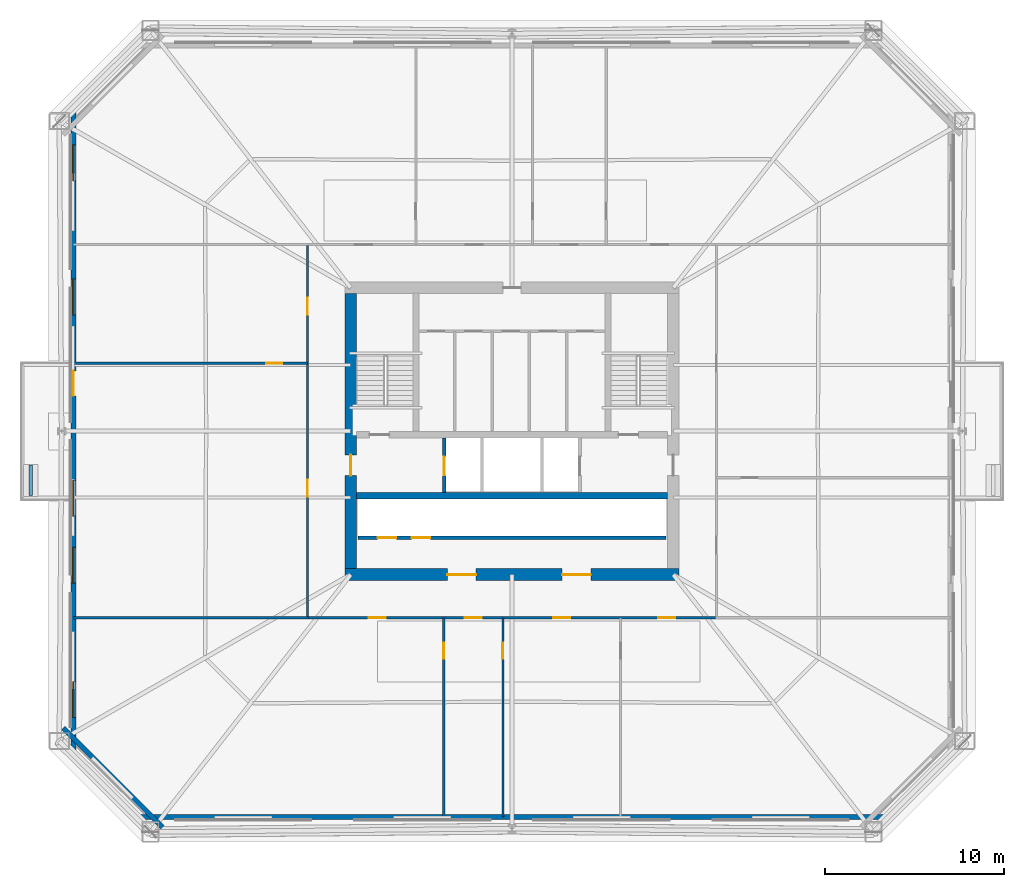
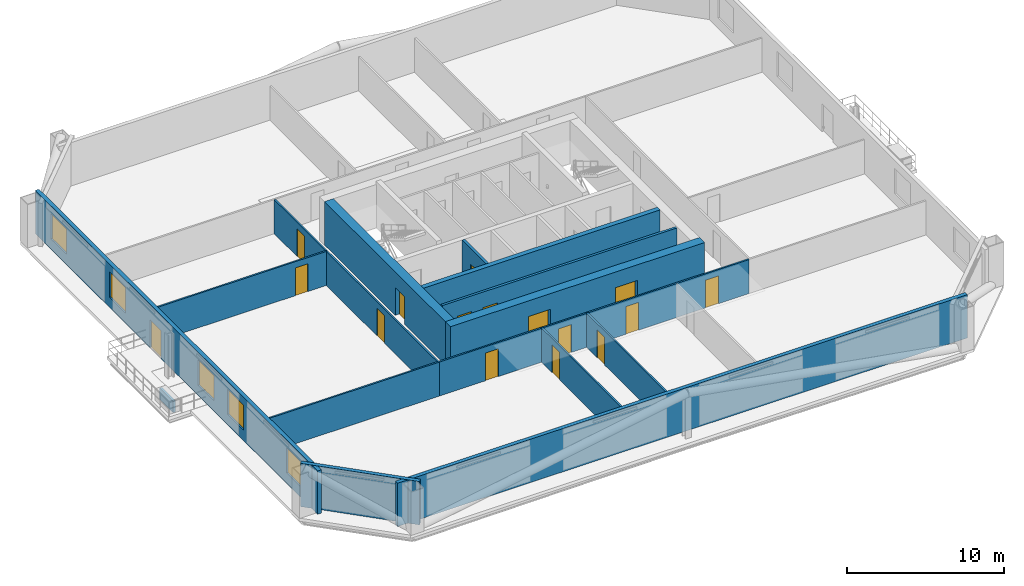
# One storey, part 5 of 10: 16 doors, 15 walls, 5 windows, 21 openings.
"""IFC4 building model written with IfcOpenShell, lengths in metres."""

import ifcopenshell
import ifcopenshell.guid

model = None  # the IFC model being written
_history = None  # IfcOwnerHistory: only IFC2X3 demands one
_inside = {}  # id of a spatial element -> (the spatial element, [elements in it])
_under = {}  # id of a project, library or spatial element -> (it, [spatial elements below it])
_declared = {}  # id of a project -> (the project, [libraries it declares])
_typed = {}  # id of a type object -> (the type object, [elements of that type])
_made_of = {}  # id of a material, layer set ... -> (it, [elements and type objects made of it])


def new_model(schema):
    """Start an empty IFC model of exactly this schema.

    Asked for "IFC4X3", IfcOpenShell would pick the latest addendum, in which some entities
    have other attributes; the version numbers below select the first issue.
    IFC2X3 requires an IfcOwnerHistory on every rooted entity: one is made here for all.
    """
    global model, _history
    if schema == "IFC4X3":
        model = ifcopenshell.file(schema_version=(4, 3, 0, 0))
    else:
        model = ifcopenshell.file(schema=schema)
    _inside.clear()
    _under.clear()
    _declared.clear()
    _typed.clear()
    _made_of.clear()
    _history = None
    if model.schema == "IFC2X3":
        org = make("IfcOrganization", Name="unknown")
        user = make(
            "IfcPersonAndOrganization",
            ThePerson=make("IfcPerson", FamilyName="unknown"),
            TheOrganization=org,
        )
        app = make(
            "IfcApplication",
            ApplicationDeveloper=org,
            Version="unknown",
            ApplicationFullName="unknown",
            ApplicationIdentifier="unknown",
        )
        _history = make(
            "IfcOwnerHistory",
            OwningUser=user,
            OwningApplication=app,
            ChangeAction="ADDED",
            CreationDate=0,
        )
    return model


def make(cls, **values):
    """One entity of the class cls with the attributes given. An attribute that is None is left unset."""
    return model.create_entity(
        cls, **{name: value for name, value in values.items() if value is not None}
    )


def rooted(cls, **values):
    """An entity with a GlobalId (a new one), such as an element, a storey or a relation."""
    return make(cls, GlobalId=ifcopenshell.guid.new(), OwnerHistory=_history, **values)


def si_unit(unit_type, name, prefix=None):
    """IfcSIUnit, for example si_unit("LENGTHUNIT", "METRE", prefix="MILLI")."""
    return make("IfcSIUnit", UnitType=unit_type, Prefix=prefix, Name=name)


def assignment(units):
    """IfcUnitAssignment: the units of a project."""
    return None if units is None else make("IfcUnitAssignment", Units=units)


def point(xyz):
    """IfcCartesianPoint."""
    return None if xyz is None else make("IfcCartesianPoint", Coordinates=xyz)


def direction(xyz):
    """IfcDirection."""
    return None if xyz is None else make("IfcDirection", DirectionRatios=xyz)


def frame(location, z_axis=None, x_axis=None):
    """IfcAxis2Placement3D, a coordinate frame: its origin and axes. An axis left out is left unset."""
    return make(
        "IfcAxis2Placement3D",
        Location=point(location),
        Axis=direction(z_axis),
        RefDirection=direction(x_axis),
    )


def frame_2d(location, x_axis=None):
    """IfcAxis2Placement2D, a coordinate frame in the plane: its origin and x axis."""
    return make(
        "IfcAxis2Placement2D", Location=point(location), RefDirection=direction(x_axis)
    )


def origin():
    """The frame at (0, 0, 0) with its axes left unset."""
    return frame((0.0, 0.0, 0.0))


def place(relative_to, where):
    """IfcLocalPlacement: puts the frame where relative to a parent placement (None: the world)."""
    return make(
        "IfcLocalPlacement", PlacementRelTo=relative_to, RelativePlacement=where
    )


def context(
    kind, dimensions, precision=None, world=None, true_north=None, identifier=None
):
    """IfcGeometricRepresentationContext, for example the 3D "Model" context."""
    return make(
        "IfcGeometricRepresentationContext",
        ContextIdentifier=identifier,
        ContextType=kind,
        CoordinateSpaceDimension=dimensions,
        Precision=precision,
        WorldCoordinateSystem=world,
        TrueNorth=true_north,
    )


def subcontext(parent, identifier, kind, view, scale=None):
    """IfcGeometricRepresentationSubContext, for example "Body" below "Model"."""
    return make(
        "IfcGeometricRepresentationSubContext",
        ContextIdentifier=identifier,
        ContextType=kind,
        ParentContext=parent,
        TargetScale=scale,
        TargetView=view,
    )


def project(units=None, contexts=None):
    """IfcProject with its units and contexts."""
    return rooted(
        "IfcProject",
        Name="project",
        RepresentationContexts=contexts,
        UnitsInContext=assignment(units),
    )


def spatial(cls, under=None, at=None, **own):
    """A site, building, storey or space (cls), placed at a placement, below another one or the project."""
    s = rooted(cls, ObjectPlacement=at, **own)
    if under is not None:
        _under.setdefault(under.id(), (under, []))[1].append(s)
    return s


def profile(cls, at=None, kind="AREA", **sizes):
    """A parametric profile (cls). Its sizes go by their IFC names, for example OverallWidth=200.0."""
    return make(cls, ProfileType=kind, Position=at, **sizes)


def rectangle(**sizes):
    """IfcRectangleProfileDef."""
    return profile("IfcRectangleProfileDef", **sizes)


def extrude(swept, where, along, depth):
    """IfcExtrudedAreaSolid: the profile swept, set in the frame where, extruded along a direction by depth."""
    return make(
        "IfcExtrudedAreaSolid",
        SweptArea=swept,
        Position=where,
        ExtrudedDirection=direction(along),
        Depth=depth,
    )


def shape(context_of_items, identifier, shape_type, items):
    """IfcShapeRepresentation: the items that make up one representation, for example the "Body"."""
    return make(
        "IfcShapeRepresentation",
        ContextOfItems=context_of_items,
        RepresentationIdentifier=identifier,
        RepresentationType=shape_type,
        Items=items,
    )


def material(Name=None, Category=None):
    """IfcMaterial."""
    return make("IfcMaterial", Name=Name, Category=Category)


def layer(
    of_material, thickness, ventilated=None, Name=None, Category=None, Priority=None
):
    """IfcMaterialLayer: one layer of a wall or slab, of a material (None: an air gap)."""
    return make(
        "IfcMaterialLayer",
        Material=of_material,
        LayerThickness=thickness,
        IsVentilated=ventilated,
        Name=Name,
        Category=Category,
        Priority=Priority,
    )


def layer_set(layers, Name=None):
    """IfcMaterialLayerSet."""
    return make("IfcMaterialLayerSet", MaterialLayers=layers, LayerSetName=Name)


def made_of(thing, what):
    """Note that an element or type object is made of a material, layer set ...; save() writes the relation."""
    if what is not None:
        _made_of.setdefault(what.id(), (what, []))[1].append(thing)
    return thing


def type_object(cls, material=None, **own):
    """A type object (cls), such as IfcWallType, which elements share."""
    return made_of(rooted(cls, **own), material)


def element(
    cls,
    number,
    at=None,
    inside=None,
    cuts=None,
    type_object=None,
    material=None,
    context=None,
    identifier="Body",
    shape_type=None,
    held_by="IfcProductDefinitionShape",
    body=None,
    shapes=None,
    **own,
):
    """One element of the class cls, such as IfcWall. Its Tag is "e" and its number.

    at: its placement. inside: the storey or other place that contains it. cuts: it is an
    opening in that element (IfcRelVoidsElement). A single representation is given by context,
    identifier, shape_type and body (its items); several are given by shapes. held_by: the class
    of the entity that holds the representations. save() writes the other relations.
    """
    e = rooted(cls, Tag="e%d" % number, ObjectPlacement=at, **own)
    if body is not None:
        shapes = [shape(context, identifier, shape_type, body)]
    if shapes is not None:
        e.Representation = make(held_by, Representations=shapes)
    if inside is not None:
        _inside.setdefault(inside.id(), (inside, []))[1].append(e)
    if cuts is not None:
        rooted(
            "IfcRelVoidsElement", RelatingBuildingElement=cuts, RelatedOpeningElement=e
        )
    if type_object is not None:
        _typed.setdefault(type_object.id(), (type_object, []))[1].append(e)
    return made_of(e, material)


def fill(opening, filler):
    """IfcRelFillsElement: the door or window that sits in an opening."""
    return rooted(
        "IfcRelFillsElement",
        RelatingOpeningElement=opening,
        RelatedBuildingElement=filler,
    )


def aggregate(whole, parts):
    """IfcRelAggregates: a whole, such as a stair, and the parts it consists of."""
    return rooted("IfcRelAggregates", RelatingObject=whole, RelatedObjects=parts)


def save(model, path):
    """Write the relations noted so far, then the file.

    IfcRelAggregates (storeys below a building ...), IfcRelContainedInSpatialStructure (elements
    in a storey), IfcRelDefinesByType, IfcRelAssociatesMaterial and IfcRelDeclares: one each for
    every whole, place, type object, material and project.
    """
    for whole, parts in _under.values():
        aggregate(whole, parts)
    for where, things in _inside.values():
        rooted(
            "IfcRelContainedInSpatialStructure",
            RelatedElements=things,
            RelatingStructure=where,
        )
    for kind, things in _typed.values():
        rooted("IfcRelDefinesByType", RelatedObjects=things, RelatingType=kind)
    for what, things in _made_of.values():
        rooted("IfcRelAssociatesMaterial", RelatedObjects=things, RelatingMaterial=what)
    for by, libraries in _declared.values():
        rooted("IfcRelDeclares", RelatingContext=by, RelatedDefinitions=libraries)
    model.write(path)


model = new_model("IFC4")

# Units and contexts
model_context = context("Model", 3, precision=1e-05, world=origin(), true_north=direction((0.0, 1.0)))
body_context = subcontext(model_context, "Body", "Model", "MODEL_VIEW")
ifc_project = project(units=[si_unit("LENGTHUNIT", "METRE"), si_unit("AREAUNIT", "SQUARE_METRE"), si_unit("VOLUMEUNIT", "CUBIC_METRE"), si_unit("PLANEANGLEUNIT", "RADIAN"), si_unit("MASSUNIT", "GRAM", prefix="KILO")], contexts=[model_context])

# Site, building, storey
site_placement = place(None, origin())
site = spatial("IfcSite", under=ifc_project, at=site_placement, CompositionType="ELEMENT")
building_placement = place(site_placement, origin())
building = spatial("IfcBuilding", under=site, at=building_placement, Name="Caelvoria Tower", CompositionType="ELEMENT")
storey_placement = place(building_placement, frame((0.0, 0.0, 60.39990234375)))
storey = spatial("IfcBuildingStorey", under=building, at=storey_placement, Name="L15", CompositionType="ELEMENT", Elevation=60.39990234375)

# Walls
ifc_material_1 = material(Name="Bronze-Clad Concrete C40/50", Category="concrete")
ifc_layer_1 = layer(ifc_material_1, 0.179931640625, Name="Bronze-Clad Concrete C40/50")
ifc_layer_set_1 = layer_set([ifc_layer_1], Name="Architectural Planter Kerb Wall 180 - Bronze-Clad Concrete C40/50")
wall_type_1 = type_object("IfcWallType", Name="Architectural Planter Kerb Wall 180", PredefinedType="PARAPET", material=ifc_layer_set_1)
wall_1_placement = place(storey_placement, frame((19.14990234375, 28.39990234375, 0.0), z_axis=(0.0, 0.0, 1.0), x_axis=(0.0, 1.0, 0.0)))
element("IfcWall", 1, at=wall_1_placement, inside=storey, type_object=wall_type_1, Name="Tree Balcony Planter Kerb PLANTER TB-L15-W", PredefinedType="PARAPET", context=body_context, shape_type="SweptSolid", body=[
    extrude(rectangle(XDim=1.7001953125, YDim=0.179931640625, at=frame_2d((0.85009765625, 0.0))), origin(), (0.0, 0.0, 1.0), 0.880126953125),
])
ifc_material_2 = material(Name="Concrete C50/60", Category="concrete")
ifc_layer_2 = layer(ifc_material_2, 0.35009765625, Name="Concrete C50/60")
ifc_layer_set_2 = layer_set([ifc_layer_2], Name="Core Internal Shear Wall 350 - Concrete C50/60")
wall_type_2 = type_object("IfcWallType", Name="Core Internal Shear Wall 350", PredefinedType="SHEAR", material=ifc_layer_set_2)
wall_2_placement = place(storey_placement, frame((37.324951171875, 28.39990234375, 0.0), z_axis=(0.0, 0.0, 1.0), x_axis=(1.0, 0.0, 0.0)))
element("IfcWall", 2, at=wall_2_placement, inside=storey, type_object=wall_type_2, Name="Core Shear Wall L15 M2", PredefinedType="SHEAR", context=body_context, shape_type="SweptSolid", body=[
    extrude(rectangle(XDim=17.35009765625, YDim=0.35009765625, at=frame_2d((8.675048828125, 0.0))), origin(), (0.0, 0.0, 1.0), 3.360107421875),
])
ifc_material_3 = material(Name="Precast Concrete C40/50 with Bronze Cladding", Category="concrete")
ifc_layer_3 = layer(ifc_material_3, 0.280029296875, Name="Precast Concrete C40/50 with Bronze Cladding")
ifc_layer_set_3 = layer_set([ifc_layer_3], Name="Exterior Precast Concrete C40/50 Bronze-Clad Facade Wall 280 - Precast Concrete C40/50 with Bronze Cladding")
wall_type_3 = type_object("IfcWallType", Name="Exterior Precast Concrete C40/50 Bronze-Clad Facade Wall 280", PredefinedType="STANDARD", material=ifc_layer_set_3)
wall_3_placement = place(storey_placement, frame((25.110107421875, 10.47998046875, 0.0), z_axis=(0.0, 0.0, 1.0), x_axis=(1.0, 0.0, 0.0)))
element("IfcWall", 3, at=wall_3_placement, inside=storey, type_object=wall_type_3, Name="Exterior Facade Wall L15-E0", PredefinedType="STANDARD", context=body_context, shape_type="SweptSolid", body=[
    extrude(rectangle(XDim=41.77978515625, YDim=0.280029296875, at=frame_2d((20.889892578125, 0.0))), origin(), (0.0, 0.0, 1.0), 3.360107421875),
])

# Wall, openings, windows, door
wall_4_placement = place(storey_placement, frame((21.530029296875, 49.93994140625, 0.0), z_axis=(0.0, 0.0, 1.0), x_axis=(0.0, -1.0, 0.0)))
wall_4 = element("IfcWall", 4, at=wall_4_placement, inside=storey, type_object=wall_type_3, Name="Exterior Facade Wall L15-E6", PredefinedType="STANDARD", context=body_context, shape_type="SweptSolid", body=[
    extrude(rectangle(XDim=35.8798828125, YDim=0.280029296875, at=frame_2d((17.93994140625, 0.0))), origin(), (0.0, 0.0, 1.0), 3.360107421875),
])
opening_1_placement = place(wall_4_placement, frame((14.570068359375, 0.0, 0.0)))
opening_1 = element("IfcOpeningElement", 5, at=opening_1_placement, cuts=wall_4, Name="Opening ED-04", PredefinedType="OPENING", context=body_context, shape_type="SweptSolid", body=[
    extrude(rectangle(XDim=1.39990234375, YDim=2.14990234375, at=frame_2d((0.699951171875, 1.074951171875))), frame((0.0, 0.14990234375, 0.0), z_axis=(0.0, -1.0, 0.0), x_axis=(1.0, 0.0, 0.0)), (0.0, 0.0, 1.0), 0.300048828125),
])
opening_2_placement = place(wall_4_placement, frame((1.97119140625, 0.0, 0.800048828125)))
opening_2 = element("IfcOpeningElement", 6, at=opening_2_placement, cuts=wall_4, Name="Opening WN-01", PredefinedType="OPENING", context=body_context, shape_type="SweptSolid", body=[
    extrude(rectangle(XDim=2.0, YDim=1.949951171875, at=frame_2d((1.0, 0.97509765625))), frame((0.0, 0.14990234375, 0.0), z_axis=(0.0, -1.0, 0.0), x_axis=(1.0, 0.0, 0.0)), (0.0, 0.0, 1.0), 0.300048828125),
])
opening_3_placement = place(wall_4_placement, frame((9.45556640625, 0.0, 0.800048828125)))
opening_3 = element("IfcOpeningElement", 7, at=opening_3_placement, cuts=wall_4, Name="Opening WN-01", PredefinedType="OPENING", context=body_context, shape_type="SweptSolid", body=[
    extrude(rectangle(XDim=2.0, YDim=1.949951171875, at=frame_2d((1.0, 0.97509765625))), frame((0.0, 0.14990234375, 0.0), z_axis=(0.0, -1.0, 0.0), x_axis=(1.0, 0.0, 0.0)), (0.0, 0.0, 1.0), 0.300048828125),
])
opening_4_placement = place(wall_4_placement, frame((20.68212890625, 0.0, 0.800048828125)))
opening_4 = element("IfcOpeningElement", 8, at=opening_4_placement, cuts=wall_4, Name="Opening WN-01", PredefinedType="OPENING", context=body_context, shape_type="SweptSolid", body=[
    extrude(rectangle(XDim=2.0, YDim=1.949951171875, at=frame_2d((1.0, 0.97509765625))), frame((0.0, 0.14990234375, 0.0), z_axis=(0.0, -1.0, 0.0), x_axis=(1.0, 0.0, 0.0)), (0.0, 0.0, 1.0), 0.300048828125),
])
opening_5_placement = place(wall_4_placement, frame((24.42431640625, 0.0, 0.800048828125)))
opening_5 = element("IfcOpeningElement", 9, at=opening_5_placement, cuts=wall_4, Name="Opening WN-01", PredefinedType="OPENING", context=body_context, shape_type="SweptSolid", body=[
    extrude(rectangle(XDim=2.0, YDim=1.949951171875, at=frame_2d((1.0, 0.97509765625))), frame((0.0, 0.14990234375, 0.0), z_axis=(0.0, -1.0, 0.0), x_axis=(1.0, 0.0, 0.0)), (0.0, 0.0, 1.0), 0.300048828125),
])
opening_6_placement = place(wall_4_placement, frame((31.908935546875, 0.0, 0.800048828125)))
opening_6 = element("IfcOpeningElement", 10, at=opening_6_placement, cuts=wall_4, Name="Opening WN-01", PredefinedType="OPENING", context=body_context, shape_type="SweptSolid", body=[
    extrude(rectangle(XDim=2.0, YDim=1.949951171875, at=frame_2d((1.0, 0.97509765625))), frame((0.0, 0.14990234375, 0.0), z_axis=(0.0, -1.0, 0.0), x_axis=(1.0, 0.0, 0.0)), (0.0, 0.0, 1.0), 0.300048828125),
])
ifc_material_4 = material(Name="Low-E Tinted Glass in Bronze Aluminium Frame", Category="aluminium")
window_type = type_object("IfcWindowType", Name="Tower Office Vision Window 2000x1950", PartitioningType="SINGLE_PANEL", PredefinedType="WINDOW", material=ifc_material_4)
window_1_placement = place(opening_2_placement, origin())
window_1 = element("IfcWindow", 11, at=window_1_placement, inside=storey, type_object=window_type, Name="Facade Window L15-E6-00", OverallHeight=1.949951171875, OverallWidth=2.0, PartitioningType="SINGLE_PANEL", PredefinedType="WINDOW", context=body_context, shape_type="SweptSolid", body=[
    extrude(rectangle(XDim=2.0, YDim=1.949951171875, at=frame_2d((1.0, 0.97509765625))), frame((0.0, 0.030029296875, 0.0), z_axis=(0.0, -1.0, 0.0), x_axis=(1.0, 0.0, 0.0)), (0.0, 0.0, 1.0), 0.06005859375),
])
fill(opening_2, window_1)
window_2_placement = place(opening_3_placement, origin())
window_2 = element("IfcWindow", 12, at=window_2_placement, inside=storey, type_object=window_type, Name="Facade Window L15-E6-02", OverallHeight=1.949951171875, OverallWidth=2.0, PartitioningType="SINGLE_PANEL", PredefinedType="WINDOW", context=body_context, shape_type="SweptSolid", body=[
    extrude(rectangle(XDim=2.0, YDim=1.949951171875, at=frame_2d((1.0, 0.97509765625))), frame((0.0, 0.030029296875, 0.0), z_axis=(0.0, -1.0, 0.0), x_axis=(1.0, 0.0, 0.0)), (0.0, 0.0, 1.0), 0.06005859375),
])
fill(opening_3, window_2)
window_3_placement = place(opening_4_placement, origin())
window_3 = element("IfcWindow", 13, at=window_3_placement, inside=storey, type_object=window_type, Name="Facade Window L15-E6-05", OverallHeight=1.949951171875, OverallWidth=2.0, PartitioningType="SINGLE_PANEL", PredefinedType="WINDOW", context=body_context, shape_type="SweptSolid", body=[
    extrude(rectangle(XDim=2.0, YDim=1.949951171875, at=frame_2d((1.0, 0.97509765625))), frame((0.0, 0.030029296875, 0.0), z_axis=(0.0, -1.0, 0.0), x_axis=(1.0, 0.0, 0.0)), (0.0, 0.0, 1.0), 0.06005859375),
])
fill(opening_4, window_3)
window_4_placement = place(opening_5_placement, origin())
window_4 = element("IfcWindow", 14, at=window_4_placement, inside=storey, type_object=window_type, Name="Facade Window L15-E6-06", OverallHeight=1.949951171875, OverallWidth=2.0, PartitioningType="SINGLE_PANEL", PredefinedType="WINDOW", context=body_context, shape_type="SweptSolid", body=[
    extrude(rectangle(XDim=2.0, YDim=1.949951171875, at=frame_2d((1.0, 0.97509765625))), frame((0.0, 0.030029296875, 0.0), z_axis=(0.0, -1.0, 0.0), x_axis=(1.0, 0.0, 0.0)), (0.0, 0.0, 1.0), 0.06005859375),
])
fill(opening_5, window_4)
window_5_placement = place(opening_6_placement, origin())
window_5 = element("IfcWindow", 15, at=window_5_placement, inside=storey, type_object=window_type, Name="Facade Window L15-E6-08", OverallHeight=1.949951171875, OverallWidth=2.0, PartitioningType="SINGLE_PANEL", PredefinedType="WINDOW", context=body_context, shape_type="SweptSolid", body=[
    extrude(rectangle(XDim=2.0, YDim=1.949951171875, at=frame_2d((1.0, 0.97509765625))), frame((0.0, 0.030029296875, 0.0), z_axis=(0.0, -1.0, 0.0), x_axis=(1.0, 0.0, 0.0)), (0.0, 0.0, 1.0), 0.06005859375),
])
fill(opening_6, window_5)
ifc_material_5 = material(Name="Anodised Bronze Aluminium and Laminated Glass", Category="aluminium")
door_type_1 = type_object("IfcDoorType", Name="Tree Balcony Glazed Door 1400x2150", OperationType="NOTDEFINED", PredefinedType="DOOR", material=ifc_material_5)
door_1_placement = place(opening_1_placement, origin())
door_1 = element("IfcDoor", 16, at=door_1_placement, inside=storey, type_object=door_type_1, Name="Tree Balcony Door L15-W", OperationType="SINGLE_SWING_LEFT", OverallHeight=2.14990234375, OverallWidth=1.39990234375, PredefinedType="DOOR", context=body_context, shape_type="SweptSolid", body=[
    extrude(rectangle(XDim=1.39990234375, YDim=2.14990234375, at=frame_2d((0.699951171875, 1.074951171875))), frame((0.0, 0.02490234375, 0.0), z_axis=(0.0, -1.0, 0.0), x_axis=(1.0, 0.0, 0.0)), (0.0, 0.0, 1.0), 0.050048828125),
])
fill(opening_1, door_1)

# Wall
wall_5_placement = place(storey_placement, frame((20.9560546875, 15.445556640625, 0.0), z_axis=(0.0, 0.0, 1.0), x_axis=(0.707106781187, -0.707106781187, 0.0)))
element("IfcWall", 17, at=wall_5_placement, inside=storey, type_object=wall_type_3, Name="Exterior Facade Wall L15-E7", PredefinedType="STANDARD", context=body_context, shape_type="SweptSolid", body=[
    extrude(rectangle(XDim=7.834228515625, YDim=0.280029296875, at=frame_2d((3.9169921875, 0.0))), origin(), (0.0, 0.0, 1.0), 3.360107421875),
])

# Wall, openings, doors
ifc_material_6 = material(Name="Concrete Block and Fireboard Assembly", Category="concrete")
ifc_layer_4 = layer(ifc_material_6, 0.179931640625, Name="Concrete Block and Fireboard Assembly")
ifc_layer_set_4 = layer_set([ifc_layer_4], Name="Fire-Rated Hoistway Partition Wall 180 - Concrete Block and Fireboard Assembly")
wall_type_4 = type_object("IfcWallType", Name="Fire-Rated Hoistway Partition Wall 180", PredefinedType="PARTITIONING", material=ifc_layer_set_4)
wall_6_placement = place(storey_placement, frame((37.39990234375, 26.050048828125, 0.0), z_axis=(0.0, 0.0, 1.0), x_axis=(1.0, 0.0, 0.0)))
wall_6 = element("IfcWall", 18, at=wall_6_placement, inside=storey, type_object=wall_type_4, Name="Interior Partition IW-L15-LFRONT", PredefinedType="PARTITIONING", context=body_context, shape_type="SweptSolid", body=[
    extrude(rectangle(XDim=17.2001953125, YDim=0.179931640625, at=frame_2d((8.60009765625, 0.0))), origin(), (0.0, 0.0, 1.0), 3.360107421875),
])
opening_7_placement = place(wall_6_placement, frame((1.10009765625, 0.0, 0.0)))
opening_7 = element("IfcOpeningElement", 19, at=opening_7_placement, cuts=wall_6, Name="Opening LD-01", PredefinedType="OPENING", context=body_context, shape_type="SweptSolid", body=[
    extrude(rectangle(XDim=1.050048828125, YDim=2.14990234375, at=frame_2d((0.52490234375, 1.074951171875))), frame((0.0, 0.099853515625, 0.0), z_axis=(0.0, -1.0, 0.0), x_axis=(1.0, 0.0, 0.0)), (0.0, 0.0, 1.0), 0.199951171875),
])
opening_8_placement = place(wall_6_placement, frame((3.0, 0.0, 0.0)))
opening_8 = element("IfcOpeningElement", 20, at=opening_8_placement, cuts=wall_6, Name="Opening LD-01", PredefinedType="OPENING", context=body_context, shape_type="SweptSolid", body=[
    extrude(rectangle(XDim=1.050048828125, YDim=2.14990234375, at=frame_2d((0.52490234375, 1.074951171875))), frame((0.0, 0.099853515625, 0.0), z_axis=(0.0, -1.0, 0.0), x_axis=(1.0, 0.0, 0.0)), (0.0, 0.0, 1.0), 0.199951171875),
])
ifc_material_7 = material(Name="Brushed Bronze Stainless Sliding Landing Door", Category="aluminium")
door_type_2 = type_object("IfcDoorType", Name="Lift Landing Sliding Door 1100x2150", OperationType="NOTDEFINED", PredefinedType="DOOR", material=ifc_material_7)
door_2_placement = place(opening_7_placement, origin())
door_2 = element("IfcDoor", 21, at=door_2_placement, inside=storey, type_object=door_type_2, Name="Interior Door LD-L15-PL1", OperationType="SLIDING_TO_LEFT", OverallHeight=2.14990234375, OverallWidth=1.050048828125, PredefinedType="DOOR", context=body_context, shape_type="SweptSolid", body=[
    extrude(rectangle(XDim=1.050048828125, YDim=2.14990234375, at=frame_2d((0.52490234375, 1.074951171875))), frame((0.0, 0.02490234375, 0.0), z_axis=(0.0, -1.0, 0.0), x_axis=(1.0, 0.0, 0.0)), (0.0, 0.0, 1.0), 0.050048828125),
])
fill(opening_7, door_2)
door_3_placement = place(opening_8_placement, origin())
door_3 = element("IfcDoor", 22, at=door_3_placement, inside=storey, type_object=door_type_2, Name="Interior Door LD-L15-PL2", OperationType="SLIDING_TO_RIGHT", OverallHeight=2.14990234375, OverallWidth=1.050048828125, PredefinedType="DOOR", context=body_context, shape_type="SweptSolid", body=[
    extrude(rectangle(XDim=1.050048828125, YDim=2.14990234375, at=frame_2d((0.52490234375, 1.074951171875))), frame((0.0, 0.02490234375, 0.0), z_axis=(0.0, -1.0, 0.0), x_axis=(1.0, 0.0, 0.0)), (0.0, 0.0, 1.0), 0.050048828125),
])
fill(opening_8, door_3)

# Wall, opening, door
ifc_layer_5 = layer(ifc_material_6, 0.199951171875, Name="Concrete Block and Fireboard Assembly")
ifc_layer_set_5 = layer_set([ifc_layer_5], Name="Fire-Rated Shaft and Core Partition Wall 200 - Concrete Block and Fireboard Assembly")
wall_type_5 = type_object("IfcWallType", Name="Fire-Rated Shaft and Core Partition Wall 200", PredefinedType="PARTITIONING", material=ifc_layer_set_5)
wall_7_placement = place(storey_placement, frame((42.219970703125, 28.580078125, 0.0), z_axis=(0.0, 0.0, 1.0), x_axis=(0.0, 1.0, 0.0)))
wall_7 = element("IfcWall", 23, at=wall_7_placement, inside=storey, type_object=wall_type_5, Name="Interior Partition IW-L15-LF1W", PredefinedType="PARTITIONING", context=body_context, shape_type="SweptSolid", body=[
    extrude(rectangle(XDim=3.0400390625, YDim=0.199951171875, at=frame_2d((1.52001953125, 0.0))), origin(), (0.0, 0.0, 1.0), 3.360107421875),
])
opening_9_placement = place(wall_7_placement, frame((0.949951171875, 0.0, 0.0)))
opening_9 = element("IfcOpeningElement", 24, at=opening_9_placement, cuts=wall_7, Name="Opening LD-01", PredefinedType="OPENING", context=body_context, shape_type="SweptSolid", body=[
    extrude(rectangle(XDim=1.050048828125, YDim=2.14990234375, at=frame_2d((0.52490234375, 1.074951171875))), frame((0.0, 0.10986328125, 0.0), z_axis=(0.0, -1.0, 0.0), x_axis=(1.0, 0.0, 0.0)), (0.0, 0.0, 1.0), 0.219970703125),
])
door_4_placement = place(opening_9_placement, origin())
door_4 = element("IfcDoor", 25, at=door_4_placement, inside=storey, type_object=door_type_2, Name="Interior Door LD-L15-LF1", OperationType="SLIDING_TO_LEFT", OverallHeight=2.14990234375, OverallWidth=1.050048828125, PredefinedType="DOOR", context=body_context, shape_type="SweptSolid", body=[
    extrude(rectangle(XDim=1.050048828125, YDim=2.14990234375, at=frame_2d((0.52490234375, 1.074951171875))), frame((0.0, 0.02490234375, 0.0), z_axis=(0.0, -1.0, 0.0), x_axis=(1.0, 0.0, 0.0)), (0.0, 0.0, 1.0), 0.050048828125),
])
fill(opening_9, door_4)

# Wall, openings, doors
ifc_material_8 = material(Name="Concrete C60/75", Category="concrete")
ifc_layer_6 = layer(ifc_material_8, 0.64990234375, Name="Concrete C60/75")
ifc_layer_set_6 = layer_set([ifc_layer_6], Name="Lower Core Shear Wall 650 - Concrete C60/75")
wall_type_6 = type_object("IfcWallType", Name="Lower Core Shear Wall 650", PredefinedType="SHEAR", material=ifc_layer_set_6)
wall_8_placement = place(storey_placement, frame((36.675048828125, 24.0, 0.0), z_axis=(0.0, 0.0, 1.0), x_axis=(1.0, 0.0, 0.0)))
wall_8 = element("IfcWall", 26, at=wall_8_placement, inside=storey, type_object=wall_type_6, Name="Core Shear Wall L15 S", PredefinedType="SHEAR", context=body_context, shape_type="SweptSolid", body=[
    extrude(rectangle(XDim=18.64990234375, YDim=0.64990234375, at=frame_2d((9.324951171875, 0.0))), origin(), (0.0, 0.0, 1.0), 3.360107421875),
])
opening_10_placement = place(wall_8_placement, frame((5.72509765625, 0.0, 0.0)))
opening_10 = element("IfcOpeningElement", 27, at=opening_10_placement, cuts=wall_8, Name="Opening ID-08", PredefinedType="OPENING", context=body_context, shape_type="SweptSolid", body=[
    extrude(rectangle(XDim=1.60009765625, YDim=2.14990234375, at=frame_2d((0.800048828125, 1.074951171875))), frame((0.0, 0.3349609375, 0.0), z_axis=(0.0, -1.0, 0.0), x_axis=(1.0, 0.0, 0.0)), (0.0, 0.0, 1.0), 0.669921875),
])
opening_11_placement = place(wall_8_placement, frame((12.125, 0.0, 0.0)))
opening_11 = element("IfcOpeningElement", 28, at=opening_11_placement, cuts=wall_8, Name="Opening ID-08", PredefinedType="OPENING", context=body_context, shape_type="SweptSolid", body=[
    extrude(rectangle(XDim=1.60009765625, YDim=2.14990234375, at=frame_2d((0.800048828125, 1.074951171875))), frame((0.0, 0.3349609375, 0.0), z_axis=(0.0, -1.0, 0.0), x_axis=(1.0, 0.0, 0.0)), (0.0, 0.0, 1.0), 0.669921875),
])
ifc_material_9 = material(Name="Bronze-Framed Fire-Rated Glazed Double Door", Category="aluminium")
door_type_3 = type_object("IfcDoorType", Name="Double Lobby Glazed Door 1600x2200", OperationType="NOTDEFINED", PredefinedType="DOOR", material=ifc_material_9)
door_5_placement = place(opening_10_placement, origin())
door_5 = element("IfcDoor", 29, at=door_5_placement, inside=storey, type_object=door_type_3, Name="Core Door DR-L15-LLOB-S1", OperationType="DOUBLE_DOOR_SINGLE_SWING", OverallHeight=2.14990234375, OverallWidth=1.60009765625, PredefinedType="DOOR", context=body_context, shape_type="SweptSolid", body=[
    extrude(rectangle(XDim=1.60009765625, YDim=2.14990234375, at=frame_2d((0.800048828125, 1.074951171875))), frame((0.0, 0.02490234375, 0.0), z_axis=(0.0, -1.0, 0.0), x_axis=(1.0, 0.0, 0.0)), (0.0, 0.0, 1.0), 0.050048828125),
])
fill(opening_10, door_5)
door_6_placement = place(opening_11_placement, origin())
door_6 = element("IfcDoor", 30, at=door_6_placement, inside=storey, type_object=door_type_3, Name="Core Door DR-L15-LLOB-S2", OperationType="DOUBLE_DOOR_SINGLE_SWING", OverallHeight=2.14990234375, OverallWidth=1.60009765625, PredefinedType="DOOR", context=body_context, shape_type="SweptSolid", body=[
    extrude(rectangle(XDim=1.60009765625, YDim=2.14990234375, at=frame_2d((0.800048828125, 1.074951171875))), frame((0.0, 0.02490234375, 0.0), z_axis=(0.0, -1.0, 0.0), x_axis=(1.0, 0.0, 0.0)), (0.0, 0.0, 1.0), 0.050048828125),
])
fill(opening_11, door_6)

# Wall, opening, door
wall_9_placement = place(storey_placement, frame((37.0, 24.324951171875, 0.0), z_axis=(0.0, 0.0, 1.0), x_axis=(0.0, 1.0, 0.0)))
wall_9 = element("IfcWall", 31, at=wall_9_placement, inside=storey, type_object=wall_type_6, Name="Core Shear Wall L15 W", PredefinedType="SHEAR", context=body_context, shape_type="SweptSolid", body=[
    extrude(rectangle(XDim=15.35009765625, YDim=0.64990234375, at=frame_2d((7.675048828125, 0.0))), origin(), (0.0, 0.0, 1.0), 3.360107421875),
])
opening_12_placement = place(wall_9_placement, frame((5.199951171875, 0.0, 0.0)))
opening_12 = element("IfcOpeningElement", 32, at=opening_12_placement, cuts=wall_9, Name="Opening ID-02", PredefinedType="OPENING", context=body_context, shape_type="SweptSolid", body=[
    extrude(rectangle(XDim=1.14990234375, YDim=2.14990234375, at=frame_2d((0.574951171875, 1.074951171875))), frame((0.0, 0.3349609375, 0.0), z_axis=(0.0, -1.0, 0.0), x_axis=(1.0, 0.0, 0.0)), (0.0, 0.0, 1.0), 0.669921875),
])
ifc_material_10 = material(Name="Painted Hollow Steel Fire Door", Category="steel")
door_type_4 = type_object("IfcDoorType", Name="Fire Door FD60S 1150x2150", OperationType="NOTDEFINED", PredefinedType="DOOR", material=ifc_material_10)
door_7_placement = place(opening_12_placement, origin())
door_7 = element("IfcDoor", 33, at=door_7_placement, inside=storey, type_object=door_type_4, Name="Core Door DR-L15-FFLW-OUT", OperationType="SINGLE_SWING_LEFT", OverallHeight=2.14990234375, OverallWidth=1.14990234375, PredefinedType="DOOR", context=body_context, shape_type="SweptSolid", body=[
    extrude(rectangle(XDim=1.14990234375, YDim=2.14990234375, at=frame_2d((0.574951171875, 1.074951171875))), frame((0.0, 0.02490234375, 0.0), z_axis=(0.0, -1.0, 0.0), x_axis=(1.0, 0.0, 0.0)), (0.0, 0.0, 1.0), 0.050048828125),
])
fill(opening_12, door_7)

ifc_material_11 = material(Name="Acoustic Gypsum Board on Light-Gauge Stud", Category="gypsum")
ifc_layer_7 = layer(ifc_material_11, 0.1201171875, Name="Acoustic Gypsum Board on Light-Gauge Stud")
ifc_layer_set_7 = layer_set([ifc_layer_7], Name="Tenant Suite Acoustic Partition Wall 120 - Acoustic Gypsum Board on Light-Gauge Stud")
wall_type_7 = type_object("IfcWallType", Name="Tenant Suite Acoustic Partition Wall 120", PredefinedType="PARTITIONING", material=ifc_layer_set_7)
wall_10_placement = place(storey_placement, frame((42.190673828125, 21.590087890625, 0.0), z_axis=(0.0, 0.0, 1.0), x_axis=(0.0, -1.0, 0.0)))
wall_10 = element("IfcWall", 34, at=wall_10_placement, inside=storey, type_object=wall_type_7, Name="Interior Partition IW-L15-SD-00-0", PredefinedType="PARTITIONING", context=body_context, shape_type="SweptSolid", body=[
    extrude(rectangle(XDim=11.110107421875, YDim=0.1201171875, at=frame_2d((5.55517578125, 0.0))), origin(), (0.0, 0.0, 1.0), 2.64013671875),
])
opening_13_placement = place(wall_10_placement, frame((1.39990234375, 0.0, 0.0)))
opening_13 = element("IfcOpeningElement", 35, at=opening_13_placement, cuts=wall_10, Name="Opening ID-06", PredefinedType="OPENING", context=body_context, shape_type="SweptSolid", body=[
    extrude(rectangle(XDim=0.89990234375, YDim=2.14990234375, at=frame_2d((0.449951171875, 1.074951171875))), frame((0.0, 0.070068359375, 0.0), z_axis=(0.0, -1.0, 0.0), x_axis=(1.0, 0.0, 0.0)), (0.0, 0.0, 1.0), 0.14013671875),
])
ifc_material_12 = material(Name="Engineered Andean Oak Veneer Door", Category="wood")
door_type_5 = type_object("IfcDoorType", Name="Interior Timber Door 900x2150", OperationType="NOTDEFINED", PredefinedType="DOOR", material=ifc_material_12)
door_8_placement = place(opening_13_placement, origin())
door_8 = element("IfcDoor", 36, at=door_8_placement, inside=storey, type_object=door_type_5, Name="Interior Door DR-L15-SM-00-0", OperationType="SINGLE_SWING_RIGHT", OverallHeight=2.14990234375, OverallWidth=0.89990234375, PredefinedType="DOOR", context=body_context, shape_type="SweptSolid", body=[
    extrude(rectangle(XDim=0.89990234375, YDim=2.14990234375, at=frame_2d((0.449951171875, 1.074951171875))), frame((0.0, 0.02490234375, 0.0), z_axis=(0.0, -1.0, 0.0), x_axis=(1.0, 0.0, 0.0)), (0.0, 0.0, 1.0), 0.050048828125),
])
fill(opening_13, door_8)

wall_11_placement = place(storey_placement, frame((45.494384765625, 21.590087890625, 0.0), z_axis=(0.0, 0.0, 1.0), x_axis=(0.0, -1.0, 0.0)))
wall_11 = element("IfcWall", 37, at=wall_11_placement, inside=storey, type_object=wall_type_7, Name="Interior Partition IW-L15-SD-01-0", PredefinedType="PARTITIONING", context=body_context, shape_type="SweptSolid", body=[
    extrude(rectangle(XDim=11.110107421875, YDim=0.1201171875, at=frame_2d((5.55517578125, 0.0))), origin(), (0.0, 0.0, 1.0), 2.64013671875),
])
opening_14_placement = place(wall_11_placement, frame((1.39990234375, 0.0, 0.0)))
opening_14 = element("IfcOpeningElement", 38, at=opening_14_placement, cuts=wall_11, Name="Opening ID-06", PredefinedType="OPENING", context=body_context, shape_type="SweptSolid", body=[
    extrude(rectangle(XDim=0.89990234375, YDim=2.14990234375, at=frame_2d((0.449951171875, 1.074951171875))), frame((0.0, 0.070068359375, 0.0), z_axis=(0.0, -1.0, 0.0), x_axis=(1.0, 0.0, 0.0)), (0.0, 0.0, 1.0), 0.14013671875),
])
door_9_placement = place(opening_14_placement, origin())
door_9 = element("IfcDoor", 39, at=door_9_placement, inside=storey, type_object=door_type_5, Name="Interior Door DR-L15-SM-01-0", OperationType="SINGLE_SWING_LEFT", OverallHeight=2.14990234375, OverallWidth=0.89990234375, PredefinedType="DOOR", context=body_context, shape_type="SweptSolid", body=[
    extrude(rectangle(XDim=0.89990234375, YDim=2.14990234375, at=frame_2d((0.449951171875, 1.074951171875))), frame((0.0, 0.02490234375, 0.0), z_axis=(0.0, -1.0, 0.0), x_axis=(1.0, 0.0, 0.0)), (0.0, 0.0, 1.0), 0.050048828125),
])
fill(opening_14, door_9)

# Wall, openings, doors
wall_12_placement = place(storey_placement, frame((34.64990234375, 21.590087890625, 0.0), z_axis=(0.0, 0.0, 1.0), x_axis=(1.0, 0.0, 0.0)))
wall_12 = element("IfcWall", 40, at=wall_12_placement, inside=storey, type_object=wall_type_7, Name="Interior Partition IW-L15-SCW-0", PredefinedType="PARTITIONING", context=body_context, shape_type="SweptSolid", body=[
    extrude(rectangle(XDim=22.7001953125, YDim=0.1201171875, at=frame_2d((11.35009765625, 0.0))), origin(), (0.0, 0.0, 1.0), 2.64013671875),
])
opening_15_placement = place(wall_12_placement, frame((3.365234375, 0.0, 0.0)))
opening_15 = element("IfcOpeningElement", 41, at=opening_15_placement, cuts=wall_12, Name="Opening ID-05", PredefinedType="OPENING", context=body_context, shape_type="SweptSolid", body=[
    extrude(rectangle(XDim=0.949951171875, YDim=2.14990234375, at=frame_2d((0.47509765625, 1.074951171875))), frame((0.0, 0.070068359375, 0.0), z_axis=(0.0, -1.0, 0.0), x_axis=(1.0, 0.0, 0.0)), (0.0, 0.0, 1.0), 0.14013671875),
])
opening_16_placement = place(wall_12_placement, frame((8.717529296875, 0.0, 0.0)))
opening_16 = element("IfcOpeningElement", 42, at=opening_16_placement, cuts=wall_12, Name="Opening ID-05", PredefinedType="OPENING", context=body_context, shape_type="SweptSolid", body=[
    extrude(rectangle(XDim=0.949951171875, YDim=2.14990234375, at=frame_2d((0.47509765625, 1.074951171875))), frame((0.0, 0.070068359375, 0.0), z_axis=(0.0, -1.0, 0.0), x_axis=(1.0, 0.0, 0.0)), (0.0, 0.0, 1.0), 0.14013671875),
])
opening_17_placement = place(wall_12_placement, frame((13.651123046875, 0.0, 0.0)))
opening_17 = element("IfcOpeningElement", 43, at=opening_17_placement, cuts=wall_12, Name="Opening ID-05", PredefinedType="OPENING", context=body_context, shape_type="SweptSolid", body=[
    extrude(rectangle(XDim=0.949951171875, YDim=2.14990234375, at=frame_2d((0.47509765625, 1.074951171875))), frame((0.0, 0.070068359375, 0.0), z_axis=(0.0, -1.0, 0.0), x_axis=(1.0, 0.0, 0.0)), (0.0, 0.0, 1.0), 0.14013671875),
])
opening_18_placement = place(wall_12_placement, frame((19.509033203125, 0.0, 0.0)))
opening_18 = element("IfcOpeningElement", 44, at=opening_18_placement, cuts=wall_12, Name="Opening ID-05", PredefinedType="OPENING", context=body_context, shape_type="SweptSolid", body=[
    extrude(rectangle(XDim=0.949951171875, YDim=2.14990234375, at=frame_2d((0.47509765625, 1.074951171875))), frame((0.0, 0.070068359375, 0.0), z_axis=(0.0, -1.0, 0.0), x_axis=(1.0, 0.0, 0.0)), (0.0, 0.0, 1.0), 0.14013671875),
])
door_type_6 = type_object("IfcDoorType", Name="Interior Timber Door 950x2150", OperationType="NOTDEFINED", PredefinedType="DOOR", material=ifc_material_12)
door_10_placement = place(opening_15_placement, origin())
door_10 = element("IfcDoor", 45, at=door_10_placement, inside=storey, type_object=door_type_6, Name="Interior Door DR-L15-SC-00-0", OperationType="SINGLE_SWING_RIGHT", OverallHeight=2.14990234375, OverallWidth=0.949951171875, PredefinedType="DOOR", context=body_context, shape_type="SweptSolid", body=[
    extrude(rectangle(XDim=0.949951171875, YDim=2.14990234375, at=frame_2d((0.47509765625, 1.074951171875))), frame((0.0, 0.02490234375, 0.0), z_axis=(0.0, -1.0, 0.0), x_axis=(1.0, 0.0, 0.0)), (0.0, 0.0, 1.0), 0.050048828125),
])
fill(opening_15, door_10)
door_11_placement = place(opening_16_placement, origin())
door_11 = element("IfcDoor", 46, at=door_11_placement, inside=storey, type_object=door_type_6, Name="Interior Door DR-L15-SC-01-0", OperationType="SINGLE_SWING_LEFT", OverallHeight=2.14990234375, OverallWidth=0.949951171875, PredefinedType="DOOR", context=body_context, shape_type="SweptSolid", body=[
    extrude(rectangle(XDim=0.949951171875, YDim=2.14990234375, at=frame_2d((0.47509765625, 1.074951171875))), frame((0.0, 0.02490234375, 0.0), z_axis=(0.0, -1.0, 0.0), x_axis=(1.0, 0.0, 0.0)), (0.0, 0.0, 1.0), 0.050048828125),
])
fill(opening_16, door_11)
door_12_placement = place(opening_17_placement, origin())
door_12 = element("IfcDoor", 47, at=door_12_placement, inside=storey, type_object=door_type_6, Name="Interior Door DR-L15-SC-02-0", OperationType="SINGLE_SWING_RIGHT", OverallHeight=2.14990234375, OverallWidth=0.949951171875, PredefinedType="DOOR", context=body_context, shape_type="SweptSolid", body=[
    extrude(rectangle(XDim=0.949951171875, YDim=2.14990234375, at=frame_2d((0.47509765625, 1.074951171875))), frame((0.0, 0.02490234375, 0.0), z_axis=(0.0, -1.0, 0.0), x_axis=(1.0, 0.0, 0.0)), (0.0, 0.0, 1.0), 0.050048828125),
])
fill(opening_17, door_12)
door_13_placement = place(opening_18_placement, origin())
door_13 = element("IfcDoor", 48, at=door_13_placement, inside=storey, type_object=door_type_6, Name="Interior Door DR-L15-SC-03-0", OperationType="SINGLE_SWING_LEFT", OverallHeight=2.14990234375, OverallWidth=0.949951171875, PredefinedType="DOOR", context=body_context, shape_type="SweptSolid", body=[
    extrude(rectangle(XDim=0.949951171875, YDim=2.14990234375, at=frame_2d((0.47509765625, 1.074951171875))), frame((0.0, 0.02490234375, 0.0), z_axis=(0.0, -1.0, 0.0), x_axis=(1.0, 0.0, 0.0)), (0.0, 0.0, 1.0), 0.050048828125),
])
fill(opening_18, door_13)

# Wall, opening, door
wall_13_placement = place(storey_placement, frame((34.590087890625, 35.791259765625, 0.0), z_axis=(0.0, 0.0, 1.0), x_axis=(-1.0, 0.0, 0.0)))
wall_13 = element("IfcWall", 49, at=wall_13_placement, inside=storey, type_object=wall_type_7, Name="Interior Partition IW-L15-WD-00-0", PredefinedType="PARTITIONING", context=body_context, shape_type="SweptSolid", body=[
    extrude(rectangle(XDim=13.06005859375, YDim=0.1201171875, at=frame_2d((6.530029296875, 0.0))), origin(), (0.0, 0.0, 1.0), 2.64013671875),
])
opening_19_placement = place(wall_13_placement, frame((1.39990234375, 0.0, 0.0)))
opening_19 = element("IfcOpeningElement", 50, at=opening_19_placement, cuts=wall_13, Name="Opening ID-06", PredefinedType="OPENING", context=body_context, shape_type="SweptSolid", body=[
    extrude(rectangle(XDim=0.89990234375, YDim=2.14990234375, at=frame_2d((0.449951171875, 1.074951171875))), frame((0.0, 0.070068359375, 0.0), z_axis=(0.0, -1.0, 0.0), x_axis=(1.0, 0.0, 0.0)), (0.0, 0.0, 1.0), 0.14013671875),
])
door_14_placement = place(opening_19_placement, origin())
door_14 = element("IfcDoor", 51, at=door_14_placement, inside=storey, type_object=door_type_5, Name="Interior Door DR-L15-WM-00-0", OperationType="SINGLE_SWING_RIGHT", OverallHeight=2.14990234375, OverallWidth=0.89990234375, PredefinedType="DOOR", context=body_context, shape_type="SweptSolid", body=[
    extrude(rectangle(XDim=0.89990234375, YDim=2.14990234375, at=frame_2d((0.449951171875, 1.074951171875))), frame((0.0, 0.02490234375, 0.0), z_axis=(0.0, -1.0, 0.0), x_axis=(1.0, 0.0, 0.0)), (0.0, 0.0, 1.0), 0.050048828125),
])
fill(opening_19, door_14)

# Wall, openings, doors
wall_14_placement = place(storey_placement, frame((34.590087890625, 21.64990234375, 0.0), z_axis=(0.0, 0.0, 1.0), x_axis=(0.0, 1.0, 0.0)))
wall_14 = element("IfcWall", 52, at=wall_14_placement, inside=storey, type_object=wall_type_7, Name="Interior Partition IW-L15-WCW-0", PredefinedType="PARTITIONING", context=body_context, shape_type="SweptSolid", body=[
    extrude(rectangle(XDim=20.7001953125, YDim=0.1201171875, at=frame_2d((10.35009765625, 0.0))), origin(), (0.0, 0.0, 1.0), 2.64013671875),
])
opening_20_placement = place(wall_14_placement, frame((6.695556640625, 0.0, 0.0)))
opening_20 = element("IfcOpeningElement", 53, at=opening_20_placement, cuts=wall_14, Name="Opening ID-05", PredefinedType="OPENING", context=body_context, shape_type="SweptSolid", body=[
    extrude(rectangle(XDim=0.949951171875, YDim=2.14990234375, at=frame_2d((0.47509765625, 1.074951171875))), frame((0.0, 0.070068359375, 0.0), z_axis=(0.0, -1.0, 0.0), x_axis=(1.0, 0.0, 0.0)), (0.0, 0.0, 1.0), 0.14013671875),
])
opening_21_placement = place(wall_14_placement, frame((16.845703125, 0.0, 0.0)))
opening_21 = element("IfcOpeningElement", 54, at=opening_21_placement, cuts=wall_14, Name="Opening ID-05", PredefinedType="OPENING", context=body_context, shape_type="SweptSolid", body=[
    extrude(rectangle(XDim=0.949951171875, YDim=2.14990234375, at=frame_2d((0.47509765625, 1.074951171875))), frame((0.0, 0.070068359375, 0.0), z_axis=(0.0, -1.0, 0.0), x_axis=(1.0, 0.0, 0.0)), (0.0, 0.0, 1.0), 0.14013671875),
])
door_15_placement = place(opening_20_placement, origin())
door_15 = element("IfcDoor", 55, at=door_15_placement, inside=storey, type_object=door_type_6, Name="Interior Door DR-L15-WC-00-0", OperationType="SINGLE_SWING_RIGHT", OverallHeight=2.14990234375, OverallWidth=0.949951171875, PredefinedType="DOOR", context=body_context, shape_type="SweptSolid", body=[
    extrude(rectangle(XDim=0.949951171875, YDim=2.14990234375, at=frame_2d((0.47509765625, 1.074951171875))), frame((0.0, 0.02490234375, 0.0), z_axis=(0.0, -1.0, 0.0), x_axis=(1.0, 0.0, 0.0)), (0.0, 0.0, 1.0), 0.050048828125),
])
fill(opening_20, door_15)
door_16_placement = place(opening_21_placement, origin())
door_16 = element("IfcDoor", 56, at=door_16_placement, inside=storey, type_object=door_type_6, Name="Interior Door DR-L15-WC-01-0", OperationType="SINGLE_SWING_LEFT", OverallHeight=2.14990234375, OverallWidth=0.949951171875, PredefinedType="DOOR", context=body_context, shape_type="SweptSolid", body=[
    extrude(rectangle(XDim=0.949951171875, YDim=2.14990234375, at=frame_2d((0.47509765625, 1.074951171875))), frame((0.0, 0.02490234375, 0.0), z_axis=(0.0, -1.0, 0.0), x_axis=(1.0, 0.0, 0.0)), (0.0, 0.0, 1.0), 0.050048828125),
])
fill(opening_21, door_16)

# Wall
wall_15_placement = place(storey_placement, frame((34.64990234375, 21.590087890625, 0.0), z_axis=(0.0, 0.0, 1.0), x_axis=(-1.0, 0.0, 0.0)))
element("IfcWall", 57, at=wall_15_placement, inside=storey, type_object=wall_type_7, Name="Interior Partition IW-L15-BSW-0", PredefinedType="PARTITIONING", context=body_context, shape_type="SweptSolid", body=[
    extrude(rectangle(XDim=13.119873046875, YDim=0.1201171875, at=frame_2d((6.56005859375, 0.0))), origin(), (0.0, 0.0, 1.0), 2.64013671875),
])

save(model, "model.ifc")
